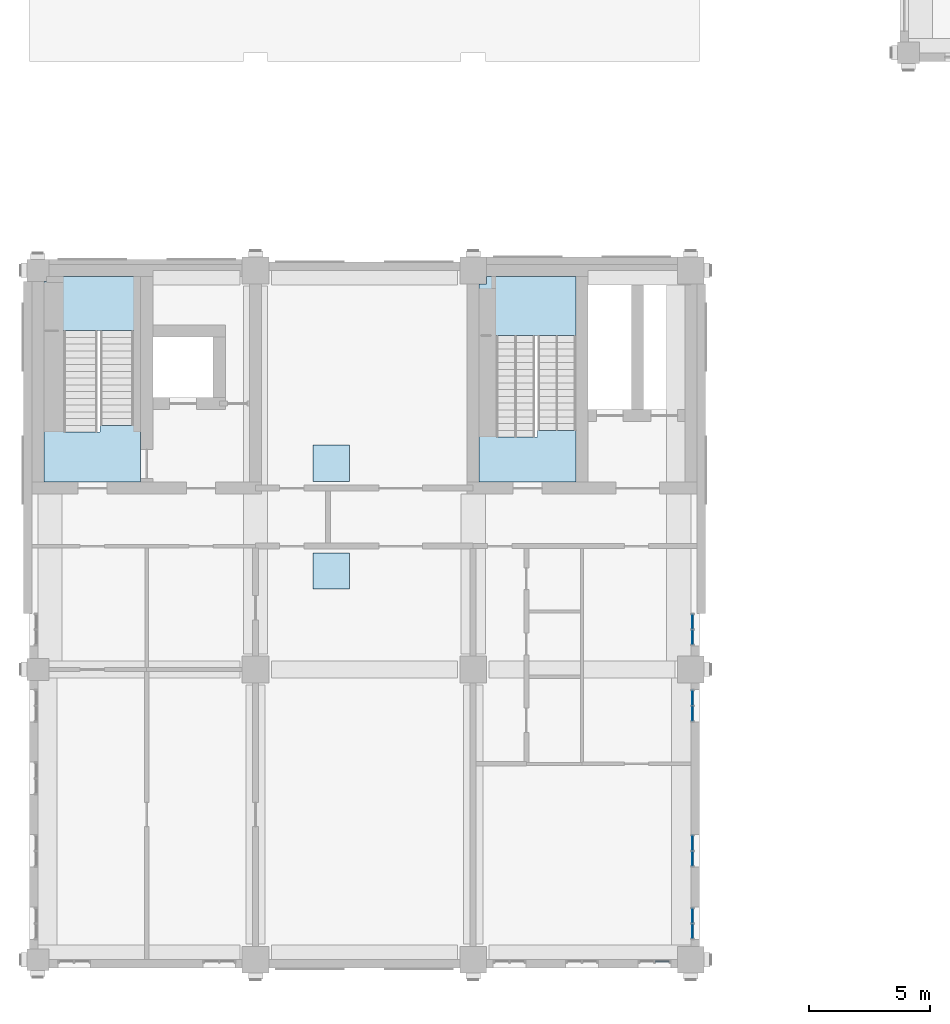
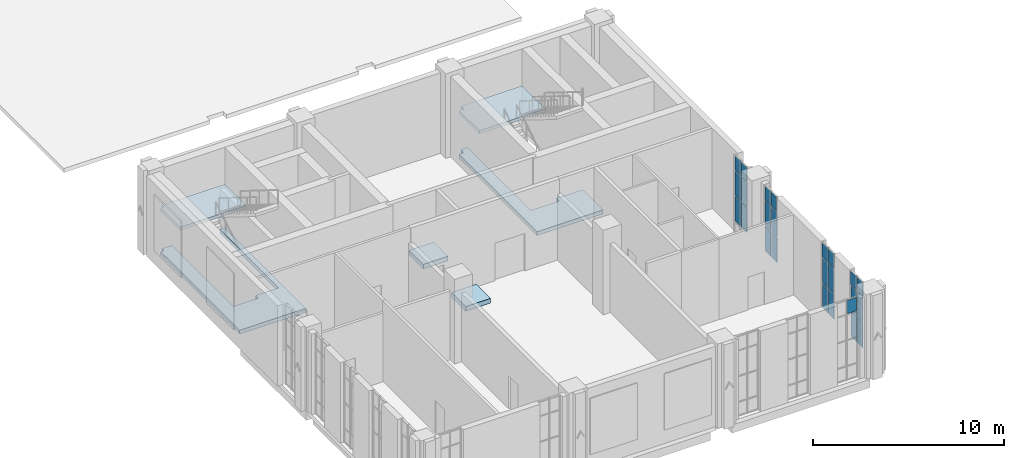
# One storey, part 14 of 33: 25 plates, 6 slabs, 7 elements without a shape of their own.
"""IFC4 building model written with IfcOpenShell, lengths in metres."""

from ifc_helpers import new_model, si_unit, direction, frame, origin, origin_2d, place, context, subcontext, project, spatial, polyline, rectangle, outline, extrude, material, layer, layer_set, type_object, element, aggregate, save


model = new_model("IFC4")

# Units and contexts
model_context = context("Model", 3, precision=1e-05, world=origin(), true_north=direction((0.0, 1.0)))
body_context = subcontext(model_context, "Body", "Model", "MODEL_VIEW")
ifc_project = project(units=[si_unit("LENGTHUNIT", "METRE"), si_unit("AREAUNIT", "SQUARE_METRE"), si_unit("VOLUMEUNIT", "CUBIC_METRE"), si_unit("PLANEANGLEUNIT", "RADIAN"), si_unit("MASSUNIT", "GRAM", prefix="KILO")], contexts=[model_context])

# Site, building, storey
site_placement = place(None, origin())
site = spatial("IfcSite", under=ifc_project, at=site_placement, CompositionType="ELEMENT")
building_placement = place(site_placement, origin())
building = spatial("IfcBuilding", under=site, at=building_placement, Name="Aurelan Courthouse", CompositionType="ELEMENT")
storey_placement = place(building_placement, frame((0.0, 0.0, 22.800048828125)))
storey = spatial("IfcBuildingStorey", under=building, at=storey_placement, Name="L04", CompositionType="ELEMENT", Elevation=22.800048828125)

# Curtain wall, plate
ifc_material_1 = material(Name="Bronze-finished aluminium and glass", Category="aluminium")
ifc_layer_1 = layer(ifc_material_1, 0.14990234375)
ifc_layer_set_1 = layer_set([ifc_layer_1], Name="Bronze-finished aluminium and glass")
curtain_wall_type = type_object("IfcCurtainWallType", Name="Curtain wall 1350 x 5150", PredefinedType="NOTDEFINED", material=ifc_layer_set_1)
curtain_wall_1_placement = place(storey_placement, origin())
curtain_wall_1 = element("IfcCurtainWall", 1, at=curtain_wall_1_placement, inside=storey, type_object=curtain_wall_type, Name="Curtain wall CW-V5-L04-S05", PredefinedType="NOTDEFINED")
ifc_material_2 = material(Name="Limestone cladding", Category="masonry")
ifc_layer_2 = layer(ifc_material_2, 0.0400390625, Name="Facing")
ifc_material_3 = material(Name="Bronze sheet cladding", Category="bronze")
ifc_layer_3 = layer(ifc_material_3, 0.02001953125, Name="Back sheet")
ifc_layer_set_2 = layer_set([ifc_layer_2, ifc_layer_3], Name="Limestone cladding")
plate_type_1 = type_object("IfcPlateType", Name="Limestone spandrel panel with bronze back sheet 60", PredefinedType="CURTAIN_PANEL", material=ifc_layer_set_2)
plate_1_placement = place(storey_placement, frame((25.822509765625, -0.074951171875, 4.22998046875), z_axis=(0.0, 0.0, 1.0), x_axis=(1.0, 0.0, 0.0)))
plate_1 = element("IfcPlate", 2, at=plate_1_placement, type_object=plate_type_1, Name="CW-V5-L04-S05 spandrel panel 2.4", PredefinedType="CURTAIN_PANEL", context=body_context, shape_type="SweptSolid", body=[
    extrude(rectangle(XDim=0.5849609375, YDim=0.06005859375, at=origin_2d()), origin(), (0.0, 0.0, 1.0), 0.860107421875),
])
aggregate(curtain_wall_1, [plate_1])

# Curtain wall, plates
curtain_wall_2_placement = place(storey_placement, origin())
curtain_wall_2 = element("IfcCurtainWall", 3, at=curtain_wall_2_placement, inside=storey, type_object=curtain_wall_type, Name="Curtain wall CW-V5-L04-E01", PredefinedType="NOTDEFINED")
plate_2_placement = place(storey_placement, frame((27.074951171875, 1.177490234375, 4.22998046875), z_axis=(0.0, 0.0, 1.0), x_axis=(0.0, 1.0, 0.0)))
plate_2 = element("IfcPlate", 4, at=plate_2_placement, type_object=plate_type_1, Name="CW-V5-L04-E01 spandrel panel 1.4", PredefinedType="CURTAIN_PANEL", context=body_context, shape_type="SweptSolid", body=[
    extrude(rectangle(XDim=0.5849609375, YDim=0.06005859375, at=origin_2d()), origin(), (0.0, 0.0, 1.0), 0.860107421875),
])
plate_3_placement = place(storey_placement, frame((27.074951171875, 1.822509765625, 4.22998046875), z_axis=(0.0, 0.0, 1.0), x_axis=(0.0, 1.0, 0.0)))
plate_3 = element("IfcPlate", 5, at=plate_3_placement, type_object=plate_type_1, Name="CW-V5-L04-E01 spandrel panel 2.4", PredefinedType="CURTAIN_PANEL", context=body_context, shape_type="SweptSolid", body=[
    extrude(rectangle(XDim=0.5849609375, YDim=0.06005859375, at=origin_2d()), origin(), (0.0, 0.0, 1.0), 0.860107421875),
])

curtain_wall_3_placement = place(storey_placement, origin())
curtain_wall_3 = element("IfcCurtainWall", 6, at=curtain_wall_3_placement, inside=storey, type_object=curtain_wall_type, Name="Curtain wall CW-V5-L04-E02", PredefinedType="NOTDEFINED")
plate_4_placement = place(storey_placement, frame((27.074951171875, 4.177490234375, 4.22998046875), z_axis=(0.0, 0.0, 1.0), x_axis=(0.0, 1.0, 0.0)))
plate_4 = element("IfcPlate", 7, at=plate_4_placement, type_object=plate_type_1, Name="CW-V5-L04-E02 spandrel panel 1.4", PredefinedType="CURTAIN_PANEL", context=body_context, shape_type="SweptSolid", body=[
    extrude(rectangle(XDim=0.5849609375, YDim=0.06005859375, at=origin_2d()), origin(), (0.0, 0.0, 1.0), 0.860107421875),
])
plate_5_placement = place(storey_placement, frame((27.074951171875, 4.822509765625, 4.22998046875), z_axis=(0.0, 0.0, 1.0), x_axis=(0.0, 1.0, 0.0)))
plate_5 = element("IfcPlate", 8, at=plate_5_placement, type_object=plate_type_1, Name="CW-V5-L04-E02 spandrel panel 2.4", PredefinedType="CURTAIN_PANEL", context=body_context, shape_type="SweptSolid", body=[
    extrude(rectangle(XDim=0.5849609375, YDim=0.06005859375, at=origin_2d()), origin(), (0.0, 0.0, 1.0), 0.860107421875),
])

curtain_wall_4_placement = place(storey_placement, origin())
curtain_wall_4 = element("IfcCurtainWall", 9, at=curtain_wall_4_placement, inside=storey, type_object=curtain_wall_type, Name="Curtain wall CW-V5-L04-E03", PredefinedType="NOTDEFINED")
plate_6_placement = place(storey_placement, frame((27.074951171875, 10.177490234375, 4.22998046875), z_axis=(0.0, 0.0, 1.0), x_axis=(0.0, 1.0, 0.0)))
plate_6 = element("IfcPlate", 10, at=plate_6_placement, type_object=plate_type_1, Name="CW-V5-L04-E03 spandrel panel 1.4", PredefinedType="CURTAIN_PANEL", context=body_context, shape_type="SweptSolid", body=[
    extrude(rectangle(XDim=0.5849609375, YDim=0.06005859375, at=origin_2d()), origin(), (0.0, 0.0, 1.0), 0.860107421875),
])
plate_7_placement = place(storey_placement, frame((27.074951171875, 10.822509765625, 4.22998046875), z_axis=(0.0, 0.0, 1.0), x_axis=(0.0, 1.0, 0.0)))
plate_7 = element("IfcPlate", 11, at=plate_7_placement, type_object=plate_type_1, Name="CW-V5-L04-E03 spandrel panel 2.4", PredefinedType="CURTAIN_PANEL", context=body_context, shape_type="SweptSolid", body=[
    extrude(rectangle(XDim=0.5849609375, YDim=0.06005859375, at=origin_2d()), origin(), (0.0, 0.0, 1.0), 0.860107421875),
])

curtain_wall_5_placement = place(storey_placement, origin())
curtain_wall_5 = element("IfcCurtainWall", 12, at=curtain_wall_5_placement, inside=storey, type_object=curtain_wall_type, Name="Curtain wall CW-V5-L04-E04", PredefinedType="NOTDEFINED")
plate_8_placement = place(storey_placement, frame((27.074951171875, 13.327392578125, 4.22998046875), z_axis=(0.0, 0.0, 1.0), x_axis=(0.0, 1.0, 0.0)))
plate_8 = element("IfcPlate", 13, at=plate_8_placement, type_object=plate_type_1, Name="CW-V5-L04-E04 spandrel panel 1.4", PredefinedType="CURTAIN_PANEL", context=body_context, shape_type="SweptSolid", body=[
    extrude(rectangle(XDim=0.5849609375, YDim=0.06005859375, at=origin_2d()), origin(), (0.0, 0.0, 1.0), 0.860107421875),
])
plate_9_placement = place(storey_placement, frame((27.074951171875, 13.972412109375, 4.22998046875), z_axis=(0.0, 0.0, 1.0), x_axis=(0.0, 1.0, 0.0)))
plate_9 = element("IfcPlate", 14, at=plate_9_placement, type_object=plate_type_1, Name="CW-V5-L04-E04 spandrel panel 2.4", PredefinedType="CURTAIN_PANEL", context=body_context, shape_type="SweptSolid", body=[
    extrude(rectangle(XDim=0.5849609375, YDim=0.06005859375, at=origin_2d()), origin(), (0.0, 0.0, 1.0), 0.860107421875),
])

# Stair, slab
ifc_material_4 = material(Name="Concrete C30", Category="concrete")
stair_type_1 = type_object("IfcStairType", Name="Half-turn stair 1600 wide 31 risers", PredefinedType="HALF_TURN_STAIR", material=ifc_material_4)
stair_1_placement = place(storey_placement, origin())
stair_1 = element("IfcStair", 15, at=stair_1_placement, inside=storey, type_object=stair_type_1, Name="Stair ST-5A-L04", PredefinedType="HALF_TURN_STAIR")
ifc_layer_4 = layer(ifc_material_4, 0.25)
ifc_layer_set_3 = layer_set([ifc_layer_4], Name="Concrete C30")
slab_type_1 = type_object("IfcSlabType", Name="Stair floor landing 250 thick", PredefinedType="LANDING", material=ifc_layer_set_3)
slab_1_placement = place(storey_placement, frame((0.0, 0.0, -0.25)))
slab_1 = element("IfcSlab", 16, at=slab_1_placement, type_object=slab_type_1, Name="Stair ST-5A-L04 floor landing", PredefinedType="LANDING", context=body_context, shape_type="SweptSolid", body=[
    extrude(outline(polyline([(18.949951171875, 21.611083984375), (20.64990234375, 21.611083984375), (20.64990234375, 21.89111328125), (22.25, 21.89111328125), (22.25, 21.611083984375), (22.25, 21.60888671875), (22.25, 19.75), (18.25, 19.75), (18.25, 27.949951171875), (18.550048828125, 27.949951171875), (18.550048828125, 28.25), (18.949951171875, 28.25), (18.949951171875, 21.611083984375)])), origin(), (0.0, 0.0, 1.0), 0.25),
])

stair_type_2 = type_object("IfcStairType", Name="Half-turn stair 1400 wide 31 risers", PredefinedType="HALF_TURN_STAIR", material=ifc_material_4)
stair_2_placement = place(storey_placement, origin())
stair_2 = element("IfcStair", 17, at=stair_2_placement, inside=storey, type_object=stair_type_2, Name="Stair ST-5B-L04", PredefinedType="HALF_TURN_STAIR")
slab_2_placement = place(storey_placement, frame((0.0, 0.0, -0.25)))
slab_2 = element("IfcSlab", 18, at=slab_2_placement, type_object=slab_type_1, Name="Stair ST-5B-L04 floor landing", PredefinedType="LANDING", context=body_context, shape_type="SweptSolid", body=[
    extrude(outline(polyline([(1.06005859375, 28.25), (1.06005859375, 21.81103515625), (2.56005859375, 21.81103515625), (2.56005859375, 22.091064453125), (3.9599609375, 22.091064453125), (3.9599609375, 28.25), (4.25, 28.25), (4.25, 19.75), (0.409912109375, 19.75), (0.39990234375, 19.75), (0.25, 19.75), (0.25, 28.050048828125), (0.449951171875, 28.050048828125), (0.449951171875, 28.25), (1.06005859375, 28.25)])), origin(), (0.0, 0.0, 1.0), 0.25),
])

# Slab
ifc_layer_5 = layer(ifc_material_4, 0.199951171875)
ifc_layer_set_4 = layer_set([ifc_layer_5], Name="Concrete C30")
slab_type_2 = type_object("IfcSlabType", Name="Stair half landing 200 thick", PredefinedType="LANDING", material=ifc_layer_set_4)
slab_3_placement = place(storey_placement, frame((0.0, 0.0, 2.587158203125)))
slab_3 = element("IfcSlab", 19, at=slab_3_placement, type_object=slab_type_2, Name="Stair ST-5A-L04 half landing", PredefinedType="LANDING", context=body_context, shape_type="SweptSolid", body=[
    extrude(outline(polyline([(18.25, 27.949951171875), (18.550048828125, 27.949951171875), (18.550048828125, 28.25), (22.25, 28.25), (22.25, 25.81005859375), (18.25, 25.81005859375), (18.25, 27.949951171875)])), origin(), (0.0, 0.0, 1.0), 0.199951171875),
])

aggregate(stair_1, [slab_3, slab_1])

slab_4_placement = place(storey_placement, frame((0.0, 0.0, 2.587158203125)))
slab_4 = element("IfcSlab", 20, at=slab_4_placement, type_object=slab_type_2, Name="Stair ST-5B-L04 half landing", PredefinedType="LANDING", context=body_context, shape_type="SweptSolid", body=[
    extrude(outline(polyline([(4.25, 28.25), (4.25, 26.010009765625), (0.25, 26.010009765625), (0.25, 28.050048828125), (0.449951171875, 28.050048828125), (0.449951171875, 28.25), (4.25, 28.25)])), origin(), (0.0, 0.0, 1.0), 0.199951171875),
])

aggregate(stair_2, [slab_4, slab_2])

# Plate
ifc_material_5 = material(Name="Laminated low-emissivity glass", Category="glass")
ifc_layer_6 = layer(ifc_material_5, 0.028076171875)
ifc_layer_set_5 = layer_set([ifc_layer_6], Name="Laminated low-emissivity glass")
plate_type_2 = type_object("IfcPlateType", Name="Vision glass panel 28", PredefinedType="CURTAIN_PANEL", material=ifc_layer_set_5)
plate_10_placement = place(storey_placement, frame((27.074951171875, 1.177490234375, 0.9296875), z_axis=(0.0, 0.0, 1.0), x_axis=(0.0, 1.0, 0.0)))
plate_10 = element("IfcPlate", 21, at=plate_10_placement, type_object=plate_type_2, Name="CW-V5-L04-E01 vision panel 1.2", PredefinedType="CURTAIN_PANEL", context=body_context, shape_type="SweptSolid", body=[
    extrude(rectangle(XDim=0.5849609375, YDim=0.028076171875, at=origin_2d()), origin(), (0.0, 0.0, 1.0), 1.590087890625),
])

plate_11_placement = place(storey_placement, frame((27.074951171875, 1.177490234375, 2.580078125), z_axis=(0.0, 0.0, 1.0), x_axis=(0.0, 1.0, 0.0)))
plate_11 = element("IfcPlate", 22, at=plate_11_placement, type_object=plate_type_2, Name="CW-V5-L04-E01 vision panel 1.3", PredefinedType="CURTAIN_PANEL", context=body_context, shape_type="SweptSolid", body=[
    extrude(rectangle(XDim=0.5849609375, YDim=0.028076171875, at=origin_2d()), origin(), (0.0, 0.0, 1.0), 1.590087890625),
])

plate_12_placement = place(storey_placement, frame((27.074951171875, 1.822509765625, 0.9296875), z_axis=(0.0, 0.0, 1.0), x_axis=(0.0, 1.0, 0.0)))
plate_12 = element("IfcPlate", 23, at=plate_12_placement, type_object=plate_type_2, Name="CW-V5-L04-E01 vision panel 2.2", PredefinedType="CURTAIN_PANEL", context=body_context, shape_type="SweptSolid", body=[
    extrude(rectangle(XDim=0.5849609375, YDim=0.028076171875, at=origin_2d()), origin(), (0.0, 0.0, 1.0), 1.590087890625),
])

plate_13_placement = place(storey_placement, frame((27.074951171875, 1.822509765625, 2.580078125), z_axis=(0.0, 0.0, 1.0), x_axis=(0.0, 1.0, 0.0)))
plate_13 = element("IfcPlate", 24, at=plate_13_placement, type_object=plate_type_2, Name="CW-V5-L04-E01 vision panel 2.3", PredefinedType="CURTAIN_PANEL", context=body_context, shape_type="SweptSolid", body=[
    extrude(rectangle(XDim=0.5849609375, YDim=0.028076171875, at=origin_2d()), origin(), (0.0, 0.0, 1.0), 1.590087890625),
])

aggregate(curtain_wall_2, [plate_10, plate_11, plate_2, plate_12, plate_13, plate_3])

plate_14_placement = place(storey_placement, frame((27.074951171875, 4.177490234375, 0.9296875), z_axis=(0.0, 0.0, 1.0), x_axis=(0.0, 1.0, 0.0)))
plate_14 = element("IfcPlate", 25, at=plate_14_placement, type_object=plate_type_2, Name="CW-V5-L04-E02 vision panel 1.2", PredefinedType="CURTAIN_PANEL", context=body_context, shape_type="SweptSolid", body=[
    extrude(rectangle(XDim=0.5849609375, YDim=0.028076171875, at=origin_2d()), origin(), (0.0, 0.0, 1.0), 1.590087890625),
])

plate_15_placement = place(storey_placement, frame((27.074951171875, 4.177490234375, 2.580078125), z_axis=(0.0, 0.0, 1.0), x_axis=(0.0, 1.0, 0.0)))
plate_15 = element("IfcPlate", 26, at=plate_15_placement, type_object=plate_type_2, Name="CW-V5-L04-E02 vision panel 1.3", PredefinedType="CURTAIN_PANEL", context=body_context, shape_type="SweptSolid", body=[
    extrude(rectangle(XDim=0.5849609375, YDim=0.028076171875, at=origin_2d()), origin(), (0.0, 0.0, 1.0), 1.590087890625),
])

plate_16_placement = place(storey_placement, frame((27.074951171875, 4.822509765625, 0.9296875), z_axis=(0.0, 0.0, 1.0), x_axis=(0.0, 1.0, 0.0)))
plate_16 = element("IfcPlate", 27, at=plate_16_placement, type_object=plate_type_2, Name="CW-V5-L04-E02 vision panel 2.2", PredefinedType="CURTAIN_PANEL", context=body_context, shape_type="SweptSolid", body=[
    extrude(rectangle(XDim=0.5849609375, YDim=0.028076171875, at=origin_2d()), origin(), (0.0, 0.0, 1.0), 1.590087890625),
])

plate_17_placement = place(storey_placement, frame((27.074951171875, 4.822509765625, 2.580078125), z_axis=(0.0, 0.0, 1.0), x_axis=(0.0, 1.0, 0.0)))
plate_17 = element("IfcPlate", 28, at=plate_17_placement, type_object=plate_type_2, Name="CW-V5-L04-E02 vision panel 2.3", PredefinedType="CURTAIN_PANEL", context=body_context, shape_type="SweptSolid", body=[
    extrude(rectangle(XDim=0.5849609375, YDim=0.028076171875, at=origin_2d()), origin(), (0.0, 0.0, 1.0), 1.590087890625),
])

aggregate(curtain_wall_3, [plate_14, plate_15, plate_4, plate_16, plate_17, plate_5])

plate_18_placement = place(storey_placement, frame((27.074951171875, 10.177490234375, 0.9296875), z_axis=(0.0, 0.0, 1.0), x_axis=(0.0, 1.0, 0.0)))
plate_18 = element("IfcPlate", 29, at=plate_18_placement, type_object=plate_type_2, Name="CW-V5-L04-E03 vision panel 1.2", PredefinedType="CURTAIN_PANEL", context=body_context, shape_type="SweptSolid", body=[
    extrude(rectangle(XDim=0.5849609375, YDim=0.028076171875, at=origin_2d()), origin(), (0.0, 0.0, 1.0), 1.590087890625),
])

plate_19_placement = place(storey_placement, frame((27.074951171875, 10.177490234375, 2.580078125), z_axis=(0.0, 0.0, 1.0), x_axis=(0.0, 1.0, 0.0)))
plate_19 = element("IfcPlate", 30, at=plate_19_placement, type_object=plate_type_2, Name="CW-V5-L04-E03 vision panel 1.3", PredefinedType="CURTAIN_PANEL", context=body_context, shape_type="SweptSolid", body=[
    extrude(rectangle(XDim=0.5849609375, YDim=0.028076171875, at=origin_2d()), origin(), (0.0, 0.0, 1.0), 1.590087890625),
])

plate_20_placement = place(storey_placement, frame((27.074951171875, 10.822509765625, 0.9296875), z_axis=(0.0, 0.0, 1.0), x_axis=(0.0, 1.0, 0.0)))
plate_20 = element("IfcPlate", 31, at=plate_20_placement, type_object=plate_type_2, Name="CW-V5-L04-E03 vision panel 2.2", PredefinedType="CURTAIN_PANEL", context=body_context, shape_type="SweptSolid", body=[
    extrude(rectangle(XDim=0.5849609375, YDim=0.028076171875, at=origin_2d()), origin(), (0.0, 0.0, 1.0), 1.590087890625),
])

plate_21_placement = place(storey_placement, frame((27.074951171875, 10.822509765625, 2.580078125), z_axis=(0.0, 0.0, 1.0), x_axis=(0.0, 1.0, 0.0)))
plate_21 = element("IfcPlate", 32, at=plate_21_placement, type_object=plate_type_2, Name="CW-V5-L04-E03 vision panel 2.3", PredefinedType="CURTAIN_PANEL", context=body_context, shape_type="SweptSolid", body=[
    extrude(rectangle(XDim=0.5849609375, YDim=0.028076171875, at=origin_2d()), origin(), (0.0, 0.0, 1.0), 1.590087890625),
])

aggregate(curtain_wall_4, [plate_18, plate_19, plate_6, plate_20, plate_21, plate_7])

plate_22_placement = place(storey_placement, frame((27.074951171875, 13.327392578125, 0.9296875), z_axis=(0.0, 0.0, 1.0), x_axis=(0.0, 1.0, 0.0)))
plate_22 = element("IfcPlate", 33, at=plate_22_placement, type_object=plate_type_2, Name="CW-V5-L04-E04 vision panel 1.2", PredefinedType="CURTAIN_PANEL", context=body_context, shape_type="SweptSolid", body=[
    extrude(rectangle(XDim=0.5849609375, YDim=0.028076171875, at=origin_2d()), origin(), (0.0, 0.0, 1.0), 1.590087890625),
])

plate_23_placement = place(storey_placement, frame((27.074951171875, 13.327392578125, 2.580078125), z_axis=(0.0, 0.0, 1.0), x_axis=(0.0, 1.0, 0.0)))
plate_23 = element("IfcPlate", 34, at=plate_23_placement, type_object=plate_type_2, Name="CW-V5-L04-E04 vision panel 1.3", PredefinedType="CURTAIN_PANEL", context=body_context, shape_type="SweptSolid", body=[
    extrude(rectangle(XDim=0.5849609375, YDim=0.028076171875, at=origin_2d()), origin(), (0.0, 0.0, 1.0), 1.590087890625),
])

plate_24_placement = place(storey_placement, frame((27.074951171875, 13.972412109375, 0.9296875), z_axis=(0.0, 0.0, 1.0), x_axis=(0.0, 1.0, 0.0)))
plate_24 = element("IfcPlate", 35, at=plate_24_placement, type_object=plate_type_2, Name="CW-V5-L04-E04 vision panel 2.2", PredefinedType="CURTAIN_PANEL", context=body_context, shape_type="SweptSolid", body=[
    extrude(rectangle(XDim=0.5849609375, YDim=0.028076171875, at=origin_2d()), origin(), (0.0, 0.0, 1.0), 1.590087890625),
])

plate_25_placement = place(storey_placement, frame((27.074951171875, 13.972412109375, 2.580078125), z_axis=(0.0, 0.0, 1.0), x_axis=(0.0, 1.0, 0.0)))
plate_25 = element("IfcPlate", 36, at=plate_25_placement, type_object=plate_type_2, Name="CW-V5-L04-E04 vision panel 2.3", PredefinedType="CURTAIN_PANEL", context=body_context, shape_type="SweptSolid", body=[
    extrude(rectangle(XDim=0.5849609375, YDim=0.028076171875, at=origin_2d()), origin(), (0.0, 0.0, 1.0), 1.590087890625),
])

aggregate(curtain_wall_5, [plate_22, plate_23, plate_8, plate_24, plate_25, plate_9])

# Slabs
ifc_layer_7 = layer(ifc_material_4, 0.300048828125)
ifc_layer_set_6 = layer_set([ifc_layer_7], Name="Concrete C30")
slab_type_3 = type_object("IfcSlabType", Name="Witness dais 300", PredefinedType="FLOOR", material=ifc_layer_set_6)
slab_5_placement = place(storey_placement, origin())
element("IfcSlab", 37, at=slab_5_placement, inside=storey, type_object=slab_type_3, Name="Witness dais Family Courtroom 5.04.01", PredefinedType="FLOOR", context=body_context, shape_type="SweptSolid", body=[
    extrude(outline(polyline([(11.375, 15.324951171875), (12.875, 15.324951171875), (12.875, 16.824951171875), (11.375, 16.824951171875), (11.375, 15.324951171875)])), origin(), (0.0, 0.0, 1.0), 0.300048828125),
])
slab_6_placement = place(storey_placement, origin())
element("IfcSlab", 38, at=slab_6_placement, inside=storey, type_object=slab_type_3, Name="Witness dais Family Hearing Courtroom 5.04.01", PredefinedType="FLOOR", context=body_context, shape_type="SweptSolid", body=[
    extrude(outline(polyline([(11.375, 19.77490234375), (12.875, 19.77490234375), (12.875, 21.27490234375), (11.375, 21.27490234375), (11.375, 19.77490234375)])), origin(), (0.0, 0.0, 1.0), 0.300048828125),
])

save(model, "model.ifc")
